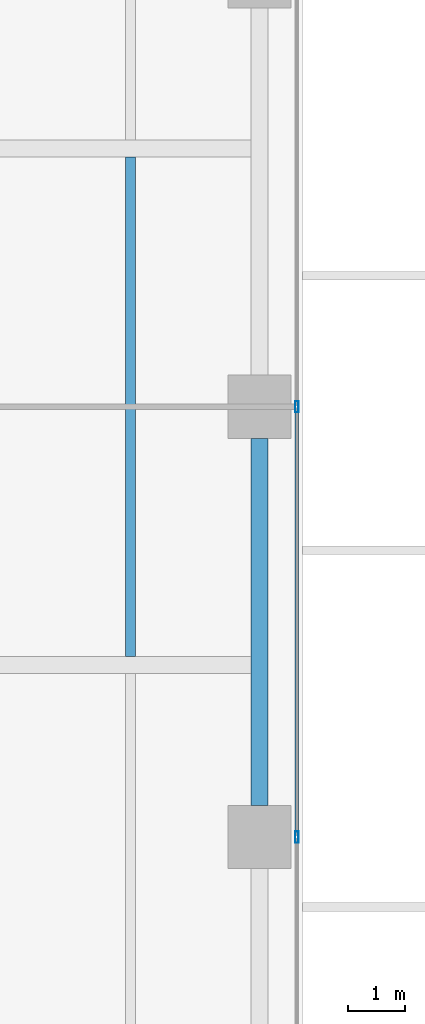
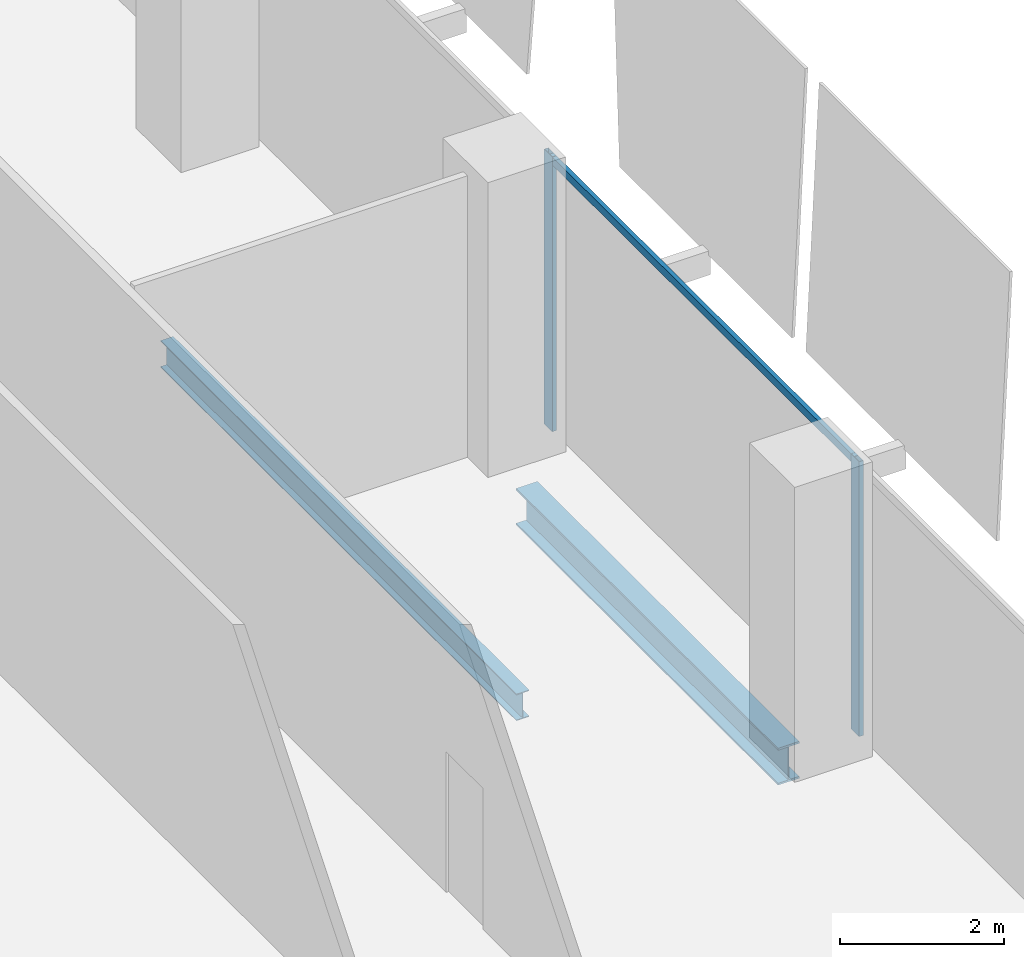
# One storey, part 13 of 34: 3 members, 2 beams, 1 element without a shape of its own.
"""IFC4 building model written with IfcOpenShell, lengths in metres."""

import ifcopenshell
import ifcopenshell.guid

model = None  # the IFC model being written
_history = None  # IfcOwnerHistory: only IFC2X3 demands one
_inside = {}  # id of a spatial element -> (the spatial element, [elements in it])
_under = {}  # id of a project, library or spatial element -> (it, [spatial elements below it])
_declared = {}  # id of a project -> (the project, [libraries it declares])
_typed = {}  # id of a type object -> (the type object, [elements of that type])
_made_of = {}  # id of a material, layer set ... -> (it, [elements and type objects made of it])


def new_model(schema):
    """Start an empty IFC model of exactly this schema.

    Asked for "IFC4X3", IfcOpenShell would pick the latest addendum, in which some entities
    have other attributes; the version numbers below select the first issue.
    IFC2X3 requires an IfcOwnerHistory on every rooted entity: one is made here for all.
    """
    global model, _history
    if schema == "IFC4X3":
        model = ifcopenshell.file(schema_version=(4, 3, 0, 0))
    else:
        model = ifcopenshell.file(schema=schema)
    _inside.clear()
    _under.clear()
    _declared.clear()
    _typed.clear()
    _made_of.clear()
    _history = None
    if model.schema == "IFC2X3":
        org = make("IfcOrganization", Name="unknown")
        user = make(
            "IfcPersonAndOrganization",
            ThePerson=make("IfcPerson", FamilyName="unknown"),
            TheOrganization=org,
        )
        app = make(
            "IfcApplication",
            ApplicationDeveloper=org,
            Version="unknown",
            ApplicationFullName="unknown",
            ApplicationIdentifier="unknown",
        )
        _history = make(
            "IfcOwnerHistory",
            OwningUser=user,
            OwningApplication=app,
            ChangeAction="ADDED",
            CreationDate=0,
        )
    return model


def make(cls, **values):
    """One entity of the class cls with the attributes given. An attribute that is None is left unset."""
    return model.create_entity(
        cls, **{name: value for name, value in values.items() if value is not None}
    )


def rooted(cls, **values):
    """An entity with a GlobalId (a new one), such as an element, a storey or a relation."""
    return make(cls, GlobalId=ifcopenshell.guid.new(), OwnerHistory=_history, **values)


def si_unit(unit_type, name, prefix=None):
    """IfcSIUnit, for example si_unit("LENGTHUNIT", "METRE", prefix="MILLI")."""
    return make("IfcSIUnit", UnitType=unit_type, Prefix=prefix, Name=name)


def assignment(units):
    """IfcUnitAssignment: the units of a project."""
    return None if units is None else make("IfcUnitAssignment", Units=units)


def point(xyz):
    """IfcCartesianPoint."""
    return None if xyz is None else make("IfcCartesianPoint", Coordinates=xyz)


def direction(xyz):
    """IfcDirection."""
    return None if xyz is None else make("IfcDirection", DirectionRatios=xyz)


def frame(location, z_axis=None, x_axis=None):
    """IfcAxis2Placement3D, a coordinate frame: its origin and axes. An axis left out is left unset."""
    return make(
        "IfcAxis2Placement3D",
        Location=point(location),
        Axis=direction(z_axis),
        RefDirection=direction(x_axis),
    )


def frame_2d(location, x_axis=None):
    """IfcAxis2Placement2D, a coordinate frame in the plane: its origin and x axis."""
    return make(
        "IfcAxis2Placement2D", Location=point(location), RefDirection=direction(x_axis)
    )


def origin():
    """The frame at (0, 0, 0) with its axes left unset."""
    return frame((0.0, 0.0, 0.0))


def origin_2d():
    """The frame at (0, 0) in the plane with its x axis left unset."""
    return frame_2d((0.0, 0.0))


def place(relative_to, where):
    """IfcLocalPlacement: puts the frame where relative to a parent placement (None: the world)."""
    return make(
        "IfcLocalPlacement", PlacementRelTo=relative_to, RelativePlacement=where
    )


def context(
    kind, dimensions, precision=None, world=None, true_north=None, identifier=None
):
    """IfcGeometricRepresentationContext, for example the 3D "Model" context."""
    return make(
        "IfcGeometricRepresentationContext",
        ContextIdentifier=identifier,
        ContextType=kind,
        CoordinateSpaceDimension=dimensions,
        Precision=precision,
        WorldCoordinateSystem=world,
        TrueNorth=true_north,
    )


def subcontext(parent, identifier, kind, view, scale=None):
    """IfcGeometricRepresentationSubContext, for example "Body" below "Model"."""
    return make(
        "IfcGeometricRepresentationSubContext",
        ContextIdentifier=identifier,
        ContextType=kind,
        ParentContext=parent,
        TargetScale=scale,
        TargetView=view,
    )


def project(units=None, contexts=None):
    """IfcProject with its units and contexts."""
    return rooted(
        "IfcProject",
        Name="project",
        RepresentationContexts=contexts,
        UnitsInContext=assignment(units),
    )


def spatial(cls, under=None, at=None, **own):
    """A site, building, storey or space (cls), placed at a placement, below another one or the project."""
    s = rooted(cls, ObjectPlacement=at, **own)
    if under is not None:
        _under.setdefault(under.id(), (under, []))[1].append(s)
    return s


def profile(cls, at=None, kind="AREA", **sizes):
    """A parametric profile (cls). Its sizes go by their IFC names, for example OverallWidth=200.0."""
    return make(cls, ProfileType=kind, Position=at, **sizes)


def hollow_rectangle(**sizes):
    """IfcRectangleHollowProfileDef."""
    return profile("IfcRectangleHollowProfileDef", **sizes)


def i_section(**sizes):
    """IfcIShapeProfileDef."""
    return profile("IfcIShapeProfileDef", **sizes)


def extrude(swept, where, along, depth):
    """IfcExtrudedAreaSolid: the profile swept, set in the frame where, extruded along a direction by depth."""
    return make(
        "IfcExtrudedAreaSolid",
        SweptArea=swept,
        Position=where,
        ExtrudedDirection=direction(along),
        Depth=depth,
    )


def shape(context_of_items, identifier, shape_type, items):
    """IfcShapeRepresentation: the items that make up one representation, for example the "Body"."""
    return make(
        "IfcShapeRepresentation",
        ContextOfItems=context_of_items,
        RepresentationIdentifier=identifier,
        RepresentationType=shape_type,
        Items=items,
    )


def source(mapping_origin, context_of_items, identifier, shape_type, items):
    """IfcRepresentationMap: a shape defined once, which mapped items show again and again."""
    return make(
        "IfcRepresentationMap",
        MappingOrigin=mapping_origin,
        MappedRepresentation=shape(context_of_items, identifier, shape_type, items),
    )


def transform(
    local_origin,
    x_axis=None,
    y_axis=None,
    z_axis=None,
    scale=None,
    scale2=None,
    scale3=None,
    uniform=True,
):
    """IfcCartesianTransformationOperator3D, or its non-uniform kind. x_axis, y_axis, z_axis: its Axis1, 2, 3."""
    if uniform:
        return make(
            "IfcCartesianTransformationOperator3D",
            Axis1=direction(x_axis),
            Axis2=direction(y_axis),
            LocalOrigin=point(local_origin),
            Scale=scale,
            Axis3=direction(z_axis),
        )
    return make(
        "IfcCartesianTransformationOperator3DnonUniform",
        Axis1=direction(x_axis),
        Axis2=direction(y_axis),
        LocalOrigin=point(local_origin),
        Scale=scale,
        Axis3=direction(z_axis),
        Scale2=scale2,
        Scale3=scale3,
    )


def mapped(mapping_source, mapping_target):
    """IfcMappedItem: shows the shape of a source again, moved by a transform."""
    return make(
        "IfcMappedItem", MappingSource=mapping_source, MappingTarget=mapping_target
    )


def material(Name=None, Category=None):
    """IfcMaterial."""
    return make("IfcMaterial", Name=Name, Category=Category)


def material_profile(
    of_material, cross_section, Name=None, Category=None, Priority=None
):
    """IfcMaterialProfile: a cross section and its material."""
    return make(
        "IfcMaterialProfile",
        Name=Name,
        Material=of_material,
        Profile=cross_section,
        Priority=Priority,
        Category=Category,
    )


def profile_set(profiles, Name=None, composite=None):
    """IfcMaterialProfileSet."""
    return make(
        "IfcMaterialProfileSet",
        Name=Name,
        MaterialProfiles=profiles,
        CompositeProfile=composite,
    )


def made_of(thing, what):
    """Note that an element or type object is made of a material, layer set ...; save() writes the relation."""
    if what is not None:
        _made_of.setdefault(what.id(), (what, []))[1].append(thing)
    return thing


def type_object(cls, material=None, **own):
    """A type object (cls), such as IfcWallType, which elements share."""
    return made_of(rooted(cls, **own), material)


def element(
    cls,
    number,
    at=None,
    inside=None,
    cuts=None,
    type_object=None,
    material=None,
    context=None,
    identifier="Body",
    shape_type=None,
    held_by="IfcProductDefinitionShape",
    body=None,
    shapes=None,
    **own,
):
    """One element of the class cls, such as IfcWall. Its Tag is "e" and its number.

    at: its placement. inside: the storey or other place that contains it. cuts: it is an
    opening in that element (IfcRelVoidsElement). A single representation is given by context,
    identifier, shape_type and body (its items); several are given by shapes. held_by: the class
    of the entity that holds the representations. save() writes the other relations.
    """
    e = rooted(cls, Tag="e%d" % number, ObjectPlacement=at, **own)
    if body is not None:
        shapes = [shape(context, identifier, shape_type, body)]
    if shapes is not None:
        e.Representation = make(held_by, Representations=shapes)
    if inside is not None:
        _inside.setdefault(inside.id(), (inside, []))[1].append(e)
    if cuts is not None:
        rooted(
            "IfcRelVoidsElement", RelatingBuildingElement=cuts, RelatedOpeningElement=e
        )
    if type_object is not None:
        _typed.setdefault(type_object.id(), (type_object, []))[1].append(e)
    return made_of(e, material)


def aggregate(whole, parts):
    """IfcRelAggregates: a whole, such as a stair, and the parts it consists of."""
    return rooted("IfcRelAggregates", RelatingObject=whole, RelatedObjects=parts)


def save(model, path):
    """Write the relations noted so far, then the file.

    IfcRelAggregates (storeys below a building ...), IfcRelContainedInSpatialStructure (elements
    in a storey), IfcRelDefinesByType, IfcRelAssociatesMaterial and IfcRelDeclares: one each for
    every whole, place, type object, material and project.
    """
    for whole, parts in _under.values():
        aggregate(whole, parts)
    for where, things in _inside.values():
        rooted(
            "IfcRelContainedInSpatialStructure",
            RelatedElements=things,
            RelatingStructure=where,
        )
    for kind, things in _typed.values():
        rooted("IfcRelDefinesByType", RelatedObjects=things, RelatingType=kind)
    for what, things in _made_of.values():
        rooted("IfcRelAssociatesMaterial", RelatedObjects=things, RelatingMaterial=what)
    for by, libraries in _declared.values():
        rooted("IfcRelDeclares", RelatingContext=by, RelatedDefinitions=libraries)
    model.write(path)


model = new_model("IFC4")

# Units and contexts
model_context = context("Model", 3, precision=1e-05, world=origin(), true_north=direction((0.0, 1.0)))
body_context = subcontext(model_context, "Body", "Model", "MODEL_VIEW")
ifc_project = project(units=[si_unit("LENGTHUNIT", "METRE"), si_unit("AREAUNIT", "SQUARE_METRE"), si_unit("VOLUMEUNIT", "CUBIC_METRE"), si_unit("PLANEANGLEUNIT", "RADIAN"), si_unit("MASSUNIT", "GRAM", prefix="KILO")], contexts=[model_context])

# Site, building, storey
site_placement = place(None, origin())
site = spatial("IfcSite", under=ifc_project, at=site_placement, CompositionType="ELEMENT")
building_placement = place(site_placement, origin())
building = spatial("IfcBuilding", under=site, at=building_placement, Name="Khomas Fold Tower", CompositionType="ELEMENT")
storey_placement = place(building_placement, frame((0.0, 0.0, 154.300048828125)))
storey = spatial("IfcBuildingStorey", under=building, at=storey_placement, Name="L33", CompositionType="ELEMENT", Elevation=154.300048828125)

# Beams
ifc_material_1 = material(Name="Steel S355", Category="steel")
ifc_material_profile_1 = material_profile(ifc_material_1, i_section(OverallWidth=0.179931640625, OverallDepth=0.39990234375, WebThickness=0.008544921875, FlangeThickness=0.013427734375, at=origin_2d()), Name="IPE 400")
ifc_profile_set_1 = profile_set([ifc_material_profile_1], Name="Steel S355")
beam_type_1 = type_object("IfcBeamType", Name="IPE 400 beam JB3", PredefinedType="BEAM", material=ifc_profile_set_1)
shared_shape_1 = source(origin(), body_context, "Body", "SweptSolid", [
    extrude(i_section(OverallWidth=0.179931640625, OverallDepth=0.39990234375, WebThickness=0.008544921875, FlangeThickness=0.013427734375, at=origin_2d()), origin(), (0.0, 0.0, 1.0), 8.7001953125),
])
beam_1_placement = place(storey_placement, frame((49.5, 22.64990234375, -0.5), z_axis=(0.0, 1.0, 0.0), x_axis=(-1.0, 0.0, 0.0)))
element("IfcBeam", 1, at=beam_1_placement, inside=storey, type_object=beam_type_1, Name="JB3", PredefinedType="BEAM", context=body_context, shape_type="MappedRepresentation", body=[
    mapped(shared_shape_1, transform((0.0, 0.0, 0.0))),
])
ifc_material_2 = material(Name="Steel S355", Category="steel")
ifc_material_profile_2 = material_profile(ifc_material_2, i_section(OverallWidth=0.300048828125, OverallDepth=0.550048828125, WebThickness=0.014892578125, FlangeThickness=0.029052734375, at=origin_2d()), Name="HE 550 B")
ifc_profile_set_2 = profile_set([ifc_material_profile_2], Name="Steel S355")
beam_type_2 = type_object("IfcBeamType", Name="HE 550 B spandrel SB2", PredefinedType="SPANDREL", material=ifc_profile_set_2)
shared_shape_2 = source(origin(), body_context, "Body", "SweptSolid", [
    extrude(i_section(OverallWidth=0.300048828125, OverallDepth=0.550048828125, WebThickness=0.014892578125, FlangeThickness=0.029052734375, at=origin_2d()), origin(), (0.0, 0.0, 1.0), 6.39990234375),
])
beam_2_placement = place(storey_placement, frame((51.75, 20.050048828125, -0.574951171875), z_axis=(0.0, 1.0, 0.0), x_axis=(-1.0, 0.0, 0.0)))
element("IfcBeam", 2, at=beam_2_placement, inside=storey, type_object=beam_type_2, Name="SB2", PredefinedType="SPANDREL", context=body_context, shape_type="MappedRepresentation", body=[
    mapped(shared_shape_2, transform((0.0, 0.0, 0.0))),
])

# Curtain wall, members
ifc_material_3 = material(Name="Aluminium framed double glazing", Category="aluminium")
curtain_wall_type = type_object("IfcCurtainWallType", Name="SK-Unitised clear-glass wall, growing floors CW1", PredefinedType="NOTDEFINED", material=ifc_material_3)
curtain_wall_placement = place(storey_placement, origin())
curtain_wall = element("IfcCurtainWall", 3, at=curtain_wall_placement, inside=storey, type_object=curtain_wall_type, Name="CW1 run L33 03-0", PredefinedType="NOTDEFINED")
ifc_material_4 = material(Name="Aluminium", Category="aluminium")
ifc_material_profile_3 = material_profile(ifc_material_4, hollow_rectangle(XDim=0.06005859375, YDim=0.1201171875, WallThickness=0.00390625, at=origin_2d()), Name="SK-Unitised clear-glass wall, growing floors transom CW1-T")
ifc_profile_set_3 = profile_set([ifc_material_profile_3], Name="Aluminium")
member_type_1 = type_object("IfcMemberType", Name="SK-Unitised clear-glass wall, growing floors transom CW1-T", PredefinedType="USERDEFINED", material=ifc_profile_set_3)
shared_shape_3 = source(origin(), body_context, "Body", "SweptSolid", [
    extrude(hollow_rectangle(XDim=0.06005859375, YDim=0.1201171875, WallThickness=0.00390625, at=origin_2d()), origin(), (0.0, 0.0, 1.0), 7.43994140625),
])
member_1_placement = place(storey_placement, frame((52.39990234375, 19.530029296875, 4.0400390625), z_axis=(0.0, 1.0, 0.0), x_axis=(-1.0, 0.0, 0.0)))
member_1 = element("IfcMember", 4, at=member_1_placement, type_object=member_type_1, Name="CW1 transom 4", ObjectType="TRANSOM", PredefinedType="USERDEFINED", context=body_context, shape_type="MappedRepresentation", body=[
    mapped(shared_shape_3, transform((0.0, 0.0, 0.0))),
])
ifc_material_5 = material(Name="Aluminium", Category="aluminium")
ifc_material_profile_4 = material_profile(ifc_material_5, hollow_rectangle(XDim=0.06005859375, YDim=0.199951171875, WallThickness=0.00390625, at=origin_2d()), Name="SK-Unitised clear-glass wall, growing floors mullion CW1-M")
ifc_profile_set_4 = profile_set([ifc_material_profile_4], Name="Aluminium")
member_type_2 = type_object("IfcMemberType", Name="SK-Unitised clear-glass wall, growing floors mullion CW1-M", PredefinedType="MULLION", material=ifc_profile_set_4)
shared_shape_4 = source(origin(), body_context, "Body", "SweptSolid", [
    extrude(hollow_rectangle(XDim=0.06005859375, YDim=0.199951171875, WallThickness=0.00390625, at=origin_2d()), origin(), (0.0, 0.0, 1.0), 4.099853515625),
])
member_2_placement = place(storey_placement, frame((52.39990234375, 19.5, 0.0), z_axis=(0.0, 0.0, 1.0), x_axis=(-1.0, 0.0, 0.0)))
member_2 = element("IfcMember", 5, at=member_2_placement, type_object=member_type_2, Name="CW1 mullion 4", PredefinedType="MULLION", context=body_context, shape_type="MappedRepresentation", body=[
    mapped(shared_shape_4, transform((0.0, 0.0, 0.0))),
])
member_3_placement = place(storey_placement, frame((52.39990234375, 27.0, 0.0), z_axis=(0.0, 0.0, 1.0), x_axis=(-1.0, 0.0, 0.0)))
member_3 = element("IfcMember", 6, at=member_3_placement, type_object=member_type_2, Name="CW1 mullion 5", PredefinedType="MULLION", context=body_context, shape_type="MappedRepresentation", body=[
    mapped(shared_shape_4, transform((0.0, 0.0, 0.0))),
])
aggregate(curtain_wall, [member_2, member_3, member_1])

save(model, "model.ifc")
